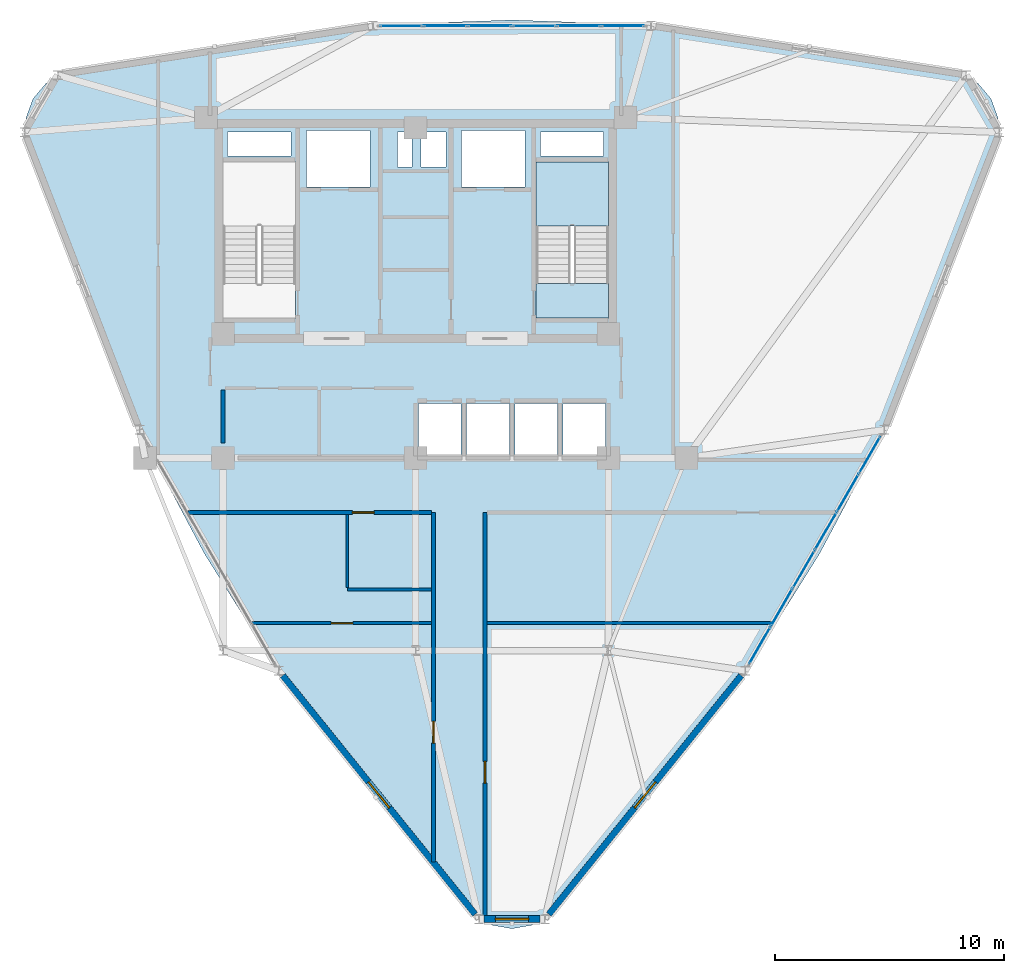
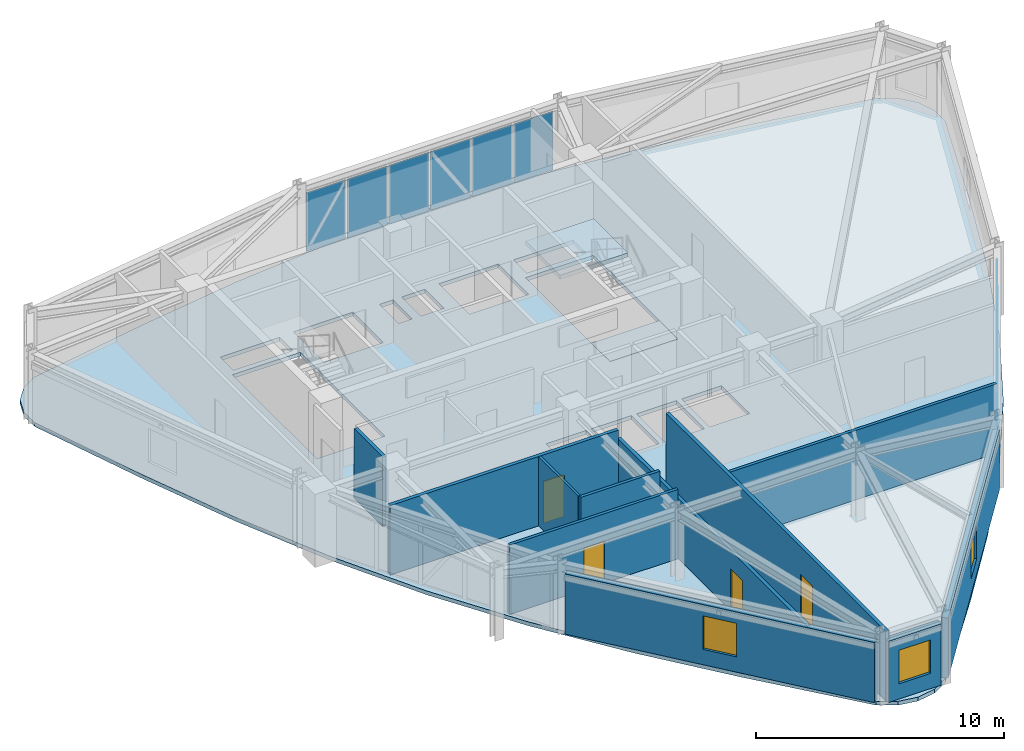
# One storey, part 12 of 16: 12 plates, 11 walls, 4 doors, 3 slabs, 3 windows, 7 openings, 3 elements without a shape of their own.
"""IFC4 building model written with IfcOpenShell, lengths in metres."""

from ifc_helpers import new_model, si_unit, derived_unit, direction, frame, frame_2d, origin, origin_2d, place, context, subcontext, project, spatial, polyline, rectangle, outline, extrude, source, transform, mapped, material, layer, layer_set, type_object, element, fill, aggregate, save


model = new_model("IFC4")

# Units and contexts
model_context = context("Model", 3, precision=1e-05, world=origin(), true_north=direction((0.0, 1.0)))
body_context = subcontext(model_context, "Body", "Model", "MODEL_VIEW")
ifc_project = project(units=[si_unit("LENGTHUNIT", "METRE"), si_unit("AREAUNIT", "SQUARE_METRE"), si_unit("VOLUMEUNIT", "CUBIC_METRE"), si_unit("PLANEANGLEUNIT", "RADIAN"), si_unit("MASSUNIT", "GRAM", prefix="KILO"), derived_unit("THERMALTRANSMITTANCEUNIT", [(si_unit("POWERUNIT", "WATT"), 1), (si_unit("LENGTHUNIT", "METRE"), -2), (si_unit("THERMODYNAMICTEMPERATUREUNIT", "KELVIN"), -1)])], contexts=[model_context])

# Site, building, storey
site_placement = place(None, origin())
site = spatial("IfcSite", under=ifc_project, at=site_placement, CompositionType="ELEMENT")
building_placement = place(site_placement, origin())
building = spatial("IfcBuilding", under=site, at=building_placement, Name="Korsvarv Bourse and Concert Hall", CompositionType="ELEMENT")
storey_placement = place(building_placement, frame((0.0, 0.0, 231.0)))
storey = spatial("IfcBuildingStorey", under=building, at=storey_placement, Name="L60", CompositionType="ELEMENT", Elevation=231.0)

# Slab
ifc_material_1 = material(Name="Precast concrete C45/55", Category="concrete")
ifc_layer_1 = layer(ifc_material_1, 0.199951171875)
ifc_layer_set_1 = layer_set([ifc_layer_1], Name="Precast concrete C45/55")
slab_type_1 = type_object("IfcSlabType", Name="SLB-FLND-T", PredefinedType="LANDING", material=ifc_layer_set_1)
slab_1_placement = place(storey_placement, frame((0.0, 0.0, -0.199951171875)))
element("IfcSlab", 1, at=slab_1_placement, inside=storey, type_object=slab_type_1, Name="L60 Stair ST-T2 Floor Landing Slab", PredefinedType="LANDING", context=body_context, shape_type="SweptSolid", body=[
    extrude(outline(polyline([(44.39990234375, 38.5), (44.39990234375, 40.0), (41.239990234375, 40.0), (41.239990234375, 38.5), (44.39990234375, 38.5)])), origin(), (0.0, 0.0, 1.0), 0.199951171875),
])

# Stair, slab
stair_type = type_object("IfcStairType", Name="STR-TYPE-04", PredefinedType="HALF_TURN_STAIR", material=ifc_material_1)
stair_placement = place(storey_placement, origin())
stair = element("IfcStair", 2, at=stair_placement, inside=storey, type_object=stair_type, Name="L60 Tower East Exit Stair ST-T2", PredefinedType="HALF_TURN_STAIR")
ifc_layer_2 = layer(ifc_material_1, 0.199951171875)
ifc_layer_set_2 = layer_set([ifc_layer_2], Name="Precast concrete C45/55")
slab_type_2 = type_object("IfcSlabType", Name="SLB-ST-LND", PredefinedType="LANDING", material=ifc_layer_set_2)
slab_2_placement = place(storey_placement, frame((0.0, 0.0, 1.60009765625)))
slab_2 = element("IfcSlab", 3, at=slab_2_placement, type_object=slab_type_2, Name="ST-T2 landing 1", PredefinedType="LANDING", context=body_context, shape_type="SweptSolid", body=[
    extrude(outline(polyline([(44.39990234375, 42.52001953125), (44.39990234375, 45.300048828125), (41.239990234375, 45.300048828125), (41.239990234375, 42.52001953125), (44.39990234375, 42.52001953125)])), origin(), (0.0, 0.0, 1.0), 0.199951171875),
])
aggregate(stair, [slab_2])

# Slab
ifc_material_2 = material(Name="Concrete C45/55", Category="concrete")
ifc_layer_3 = layer(ifc_material_2, 0.18994140625)
ifc_layer_set_3 = layer_set([ifc_layer_3], Name="Concrete C45/55")
slab_type_3 = type_object("IfcSlabType", Name="SLB-TW3", PredefinedType="FLOOR", material=ifc_layer_set_3)
slab_3_placement = place(storey_placement, frame((0.0, 0.0, -0.18994140625)))
element("IfcSlab", 4, at=slab_3_placement, inside=storey, type_object=slab_type_3, Name="L60 tower structural floor slab", PredefinedType="FLOOR", context=body_context, shape_type="SweptSolid", body=[
    extrude(outline(polyline([(61.0341796875, 45.40966796875), (59.4189453125, 40.951416015625), (57.701904296875, 36.576416015625), (55.791015625, 32.33349609375), (53.622314453125, 28.25048828125), (51.170654296875, 24.330810546875), (48.45166015625, 20.554443359375), (45.521240234375, 16.88037109375), (42.468017578125, 13.252197265625), (42.46728515625, 13.251220703125), (41.80859375, 12.466552734375), (41.055908203125, 12.031982421875), (40.199951171875, 11.881103515625), (39.343994140625, 12.031982421875), (38.59130859375, 12.466552734375), (37.932861328125, 13.251220703125), (37.931884765625, 13.252197265625), (34.878662109375, 16.88037109375), (31.9482421875, 20.554443359375), (29.229248046875, 24.330810546875), (26.777587890625, 28.25048828125), (24.60888671875, 32.33349609375), (22.697998046875, 36.576416015625), (20.981201171875, 40.951416015625), (19.365966796875, 45.40966796875), (19.365478515625, 45.410888671875), (19.01513671875, 46.37353515625), (19.01513671875, 47.24267578125), (19.3125, 48.059326171875), (19.87109375, 48.725341796875), (20.623779296875, 49.159912109375), (21.632568359375, 49.337890625), (21.6337890625, 49.337890625), (26.302490234375, 50.168212890625), (30.94970703125, 50.868896484375), (35.57958984375, 51.33544921875), (40.199951171875, 51.498779296875), (44.8203125, 51.33544921875), (49.4501953125, 50.868896484375), (54.097412109375, 50.168212890625), (58.76611328125, 49.337890625), (58.767333984375, 49.337890625), (59.776123046875, 49.159912109375), (60.52880859375, 48.725341796875), (61.087646484375, 48.059326171875), (61.385009765625, 47.24267578125), (61.385009765625, 46.37353515625), (61.03466796875, 45.410888671875), (61.0341796875, 45.40966796875)]), holes=[polyline([(30.760009765625, 38.5), (30.760009765625, 45.300048828125), (27.60009765625, 45.300048828125), (27.60009765625, 38.5), (30.760009765625, 38.5)]), polyline([(44.39990234375, 38.5), (44.39990234375, 45.300048828125), (41.239990234375, 45.300048828125), (41.239990234375, 38.5), (44.39990234375, 38.5)]), polyline([(31.239990234375, 44.219970703125), (34.0, 44.219970703125), (34.0, 46.679931640625), (31.239990234375, 46.679931640625), (31.239990234375, 44.219970703125)]), polyline([(38.0, 44.219970703125), (40.760009765625, 44.219970703125), (40.760009765625, 46.679931640625), (38.0, 46.679931640625), (38.0, 44.219970703125)]), polyline([(36.1201171875, 32.52001953125), (37.97998046875, 32.52001953125), (37.97998046875, 34.780029296875), (36.1201171875, 34.780029296875), (36.1201171875, 32.52001953125)]), polyline([(38.219970703125, 32.52001953125), (40.080078125, 32.52001953125), (40.080078125, 34.780029296875), (38.219970703125, 34.780029296875), (38.219970703125, 32.52001953125)]), polyline([(40.320068359375, 32.52001953125), (42.179931640625, 32.52001953125), (42.179931640625, 34.780029296875), (40.320068359375, 34.780029296875), (40.320068359375, 32.52001953125)]), polyline([(42.419921875, 32.52001953125), (44.280029296875, 32.52001953125), (44.280029296875, 34.780029296875), (42.419921875, 34.780029296875), (42.419921875, 32.52001953125)]), polyline([(27.800048828125, 45.56005859375), (30.56005859375, 45.56005859375), (30.56005859375, 46.6201171875), (27.800048828125, 46.6201171875), (27.800048828125, 45.56005859375)]), polyline([(41.43994140625, 45.56005859375), (44.199951171875, 45.56005859375), (44.199951171875, 46.6201171875), (41.43994140625, 46.6201171875), (41.43994140625, 45.56005859375)]), polyline([(35.199951171875, 45.080078125), (35.840087890625, 45.080078125), (35.840087890625, 46.6201171875), (35.199951171875, 46.6201171875), (35.199951171875, 45.080078125)]), polyline([(36.239990234375, 45.080078125), (37.320068359375, 45.080078125), (37.320068359375, 46.6201171875), (36.239990234375, 46.6201171875), (36.239990234375, 45.080078125)])]), origin(), (0.0, 0.0, 1.0), 0.18994140625),
])

# Curtain wall, plates
ifc_material_3 = material(Name="Anodised aluminium and triple low-E glazing", Category="glass")
ifc_layer_4 = layer(ifc_material_3, 0.199951171875)
ifc_layer_set_4 = layer_set([ifc_layer_4], Name="Anodised aluminium and triple low-E glazing")
curtain_wall_type = type_object("IfcCurtainWallType", Name="CW-SYS-3", PredefinedType="NOTDEFINED", material=ifc_layer_set_4)
curtain_wall_1_placement = place(storey_placement, origin())
curtain_wall_1 = element("IfcCurtainWall", 5, at=curtain_wall_1_placement, inside=storey, type_object=curtain_wall_type, Name="L60 CW3 curtain wall CW-L60-F03", PredefinedType="NOTDEFINED")
ifc_material_4 = material(Name="Tempered triple insulated low-E architectural glass", Category="glass")
ifc_layer_5 = layer(ifc_material_4, 0.0380859375)
ifc_layer_set_5 = layer_set([ifc_layer_5], Name="Tempered triple insulated low-E architectural glass")
plate_type_1 = type_object("IfcPlateType", Name="CWP-VIS2", PredefinedType="CURTAIN_PANEL", material=ifc_layer_set_5)
shared_shape_1 = source(origin(), body_context, "Body", "SweptSolid", [
    extrude(rectangle(XDim=1.831298828125, YDim=0.0380859375, at=origin_2d()), origin(), (0.0, 0.0, 1.0), 2.889892578125),
])
plate_1_placement = place(storey_placement, frame((45.023193359375, 51.2412109375, 0.06494140625), z_axis=(0.0, 0.0, 1.0), x_axis=(-1.0, 0.0, 0.0)))
plate_1 = element("IfcPlate", 6, at=plate_1_placement, type_object=plate_type_1, Name="CW3 faceted panel 1.1", PredefinedType="CURTAIN_PANEL", context=body_context, shape_type="MappedRepresentation", body=[
    mapped(shared_shape_1, transform((0.0, 0.0, 0.0), scale=1.0)),
])
shared_shape_2 = source(origin(), body_context, "Body", "SweptSolid", [
    extrude(rectangle(XDim=1.8662109375, YDim=0.0380859375, at=origin_2d()), origin(), (0.0, 0.0, 1.0), 2.889892578125),
])
plate_2_placement = place(storey_placement, frame((43.1044921875, 51.2412109375, 0.06494140625), z_axis=(0.0, 0.0, 1.0), x_axis=(-1.0, 0.0, 0.0)))
plate_2 = element("IfcPlate", 7, at=plate_2_placement, type_object=plate_type_1, Name="CW3 faceted panel 2.1", PredefinedType="CURTAIN_PANEL", context=body_context, shape_type="MappedRepresentation", body=[
    mapped(shared_shape_2, transform((0.0, 0.0, 0.0), scale=1.0)),
])
plate_3_placement = place(storey_placement, frame((39.23193359375, 51.2412109375, 0.06494140625), z_axis=(0.0, 0.0, 1.0), x_axis=(-1.0, 0.0, 0.0)))
plate_3 = element("IfcPlate", 8, at=plate_3_placement, type_object=plate_type_1, Name="CW3 faceted panel 4.1", PredefinedType="CURTAIN_PANEL", context=body_context, shape_type="MappedRepresentation", body=[
    mapped(shared_shape_2, transform((0.0, 0.0, 0.0), scale=1.0)),
])
plate_4_placement = place(storey_placement, frame((37.295654296875, 51.2412109375, 0.06494140625), z_axis=(0.0, 0.0, 1.0), x_axis=(-1.0, 0.0, 0.0)))
plate_4 = element("IfcPlate", 9, at=plate_4_placement, type_object=plate_type_1, Name="CW3 faceted panel 5.1", PredefinedType="CURTAIN_PANEL", context=body_context, shape_type="MappedRepresentation", body=[
    mapped(shared_shape_2, transform((0.0, 0.0, 0.0), scale=1.0)),
])
ifc_material_5 = material(Name="Insulated spandrel glass", Category="glass")
ifc_layer_6 = layer(ifc_material_5, 0.031982421875)
ifc_layer_set_6 = layer_set([ifc_layer_6], Name="Insulated spandrel glass")
plate_type_2 = type_object("IfcPlateType", Name="CWP-SPD1", PredefinedType="CURTAIN_PANEL", material=ifc_layer_set_6)
shared_shape_3 = source(origin(), body_context, "Body", "SweptSolid", [
    extrude(rectangle(XDim=1.8662109375, YDim=0.031982421875, at=origin_2d()), origin(), (0.0, 0.0, 1.0), 2.889892578125),
])
plate_5_placement = place(storey_placement, frame((41.168212890625, 51.2412109375, 0.06494140625), z_axis=(0.0, 0.0, 1.0), x_axis=(-1.0, 0.0, 0.0)))
plate_5 = element("IfcPlate", 10, at=plate_5_placement, type_object=plate_type_2, Name="CW3 spandrel shadow-box panel 3.1", PredefinedType="CURTAIN_PANEL", context=body_context, shape_type="MappedRepresentation", body=[
    mapped(shared_shape_3, transform((0.0, 0.0, 0.0), scale=1.0)),
])
shared_shape_4 = source(origin(), body_context, "Body", "SweptSolid", [
    extrude(rectangle(XDim=1.831298828125, YDim=0.031982421875, at=origin_2d()), origin(), (0.0, 0.0, 1.0), 2.889892578125),
])
plate_6_placement = place(storey_placement, frame((35.376953125, 51.2412109375, 0.06494140625), z_axis=(0.0, 0.0, 1.0), x_axis=(-1.0, 0.0, 0.0)))
plate_6 = element("IfcPlate", 11, at=plate_6_placement, type_object=plate_type_2, Name="CW3 spandrel shadow-box panel 6.1", PredefinedType="CURTAIN_PANEL", context=body_context, shape_type="MappedRepresentation", body=[
    mapped(shared_shape_4, transform((0.0, 0.0, 0.0), scale=1.0)),
])
aggregate(curtain_wall_1, [plate_1, plate_2, plate_5, plate_3, plate_4, plate_6])

curtain_wall_2_placement = place(storey_placement, origin())
curtain_wall_2 = element("IfcCurtainWall", 12, at=curtain_wall_2_placement, inside=storey, type_object=curtain_wall_type, Name="L60 CW3 curtain wall CW-L60-F11", PredefinedType="NOTDEFINED")
shared_shape_5 = source(origin(), body_context, "Body", "SweptSolid", [
    extrude(rectangle(XDim=1.816162109375, YDim=0.0380859375, at=origin_2d()), origin(), (0.0, 0.0, 1.0), 2.889892578125),
])
plate_7_placement = place(storey_placement, frame((51.00634765625, 24.23486328125, 0.06494140625), z_axis=(0.0, 0.0, 1.0), x_axis=(0.499996035044, 0.86602769294, 0.0)))
plate_7 = element("IfcPlate", 13, at=plate_7_placement, type_object=plate_type_1, Name="CW3 faceted panel 1.1", PredefinedType="CURTAIN_PANEL", context=body_context, shape_type="MappedRepresentation", body=[
    mapped(shared_shape_5, transform((0.0, 0.0, 0.0), scale=1.0)),
])
shared_shape_6 = source(origin(), body_context, "Body", "SweptSolid", [
    extrude(rectangle(XDim=1.851318359375, YDim=0.0380859375, at=origin_2d()), origin(), (0.0, 0.0, 1.0), 2.889892578125),
])
plate_8_placement = place(storey_placement, frame((51.958251953125, 25.883544921875, 0.06494140625), z_axis=(0.0, 0.0, 1.0), x_axis=(0.499996035044, 0.86602769294, 0.0)))
plate_8 = element("IfcPlate", 14, at=plate_8_placement, type_object=plate_type_1, Name="CW3 faceted panel 2.1", PredefinedType="CURTAIN_PANEL", context=body_context, shape_type="MappedRepresentation", body=[
    mapped(shared_shape_6, transform((0.0, 0.0, 0.0), scale=1.0)),
])
plate_9_placement = place(storey_placement, frame((53.879638671875, 29.21142578125, 0.06494140625), z_axis=(0.0, 0.0, 1.0), x_axis=(0.499996035044, 0.86602769294, 0.0)))
plate_9 = element("IfcPlate", 15, at=plate_9_placement, type_object=plate_type_1, Name="CW3 faceted panel 4.1", PredefinedType="CURTAIN_PANEL", context=body_context, shape_type="MappedRepresentation", body=[
    mapped(shared_shape_6, transform((0.0, 0.0, 0.0), scale=1.0)),
])
plate_10_placement = place(storey_placement, frame((54.840087890625, 30.875244140625, 0.06494140625), z_axis=(0.0, 0.0, 1.0), x_axis=(0.499996035044, 0.86602769294, 0.0)))
plate_10 = element("IfcPlate", 16, at=plate_10_placement, type_object=plate_type_1, Name="CW3 faceted panel 5.1", PredefinedType="CURTAIN_PANEL", context=body_context, shape_type="MappedRepresentation", body=[
    mapped(shared_shape_6, transform((0.0, 0.0, 0.0), scale=1.0)),
])
shared_shape_7 = source(origin(), body_context, "Body", "SweptSolid", [
    extrude(rectangle(XDim=1.851318359375, YDim=0.031982421875, at=origin_2d()), origin(), (0.0, 0.0, 1.0), 2.889892578125),
])
plate_11_placement = place(storey_placement, frame((52.9189453125, 27.547607421875, 0.06494140625), z_axis=(0.0, 0.0, 1.0), x_axis=(0.499996035044, 0.86602769294, 0.0)))
plate_11 = element("IfcPlate", 17, at=plate_11_placement, type_object=plate_type_2, Name="CW3 spandrel shadow-box panel 3.1", PredefinedType="CURTAIN_PANEL", context=body_context, shape_type="MappedRepresentation", body=[
    mapped(shared_shape_7, transform((0.0, 0.0, 0.0), scale=1.0)),
])
shared_shape_8 = source(origin(), body_context, "Body", "SweptSolid", [
    extrude(rectangle(XDim=1.816162109375, YDim=0.031982421875, at=origin_2d()), origin(), (0.0, 0.0, 1.0), 2.889892578125),
])
plate_12_placement = place(storey_placement, frame((55.7919921875, 32.52392578125, 0.06494140625), z_axis=(0.0, 0.0, 1.0), x_axis=(0.499996035044, 0.86602769294, 0.0)))
plate_12 = element("IfcPlate", 18, at=plate_12_placement, type_object=plate_type_2, Name="CW3 spandrel shadow-box panel 6.1", PredefinedType="CURTAIN_PANEL", context=body_context, shape_type="MappedRepresentation", body=[
    mapped(shared_shape_8, transform((0.0, 0.0, 0.0), scale=1.0)),
])
aggregate(curtain_wall_2, [plate_7, plate_8, plate_11, plate_9, plate_10, plate_12])

# Wall, opening, window
ifc_material_6 = material(Name="Precast concrete C45/55 with terracotta rainscreen", Category="concrete")
ifc_layer_7 = layer(ifc_material_6, 0.300048828125)
ifc_layer_set_7 = layer_set([ifc_layer_7], Name="Precast concrete C45/55 with terracotta rainscreen")
wall_type_1 = type_object("IfcWallType", Name="WL-EXT-TC1", PredefinedType="SOLIDWALL", material=ifc_layer_set_7)
wall_1_placement = place(storey_placement, frame((38.969482421875, 12.296142578125, 0.0), z_axis=(0.0, 0.0, 1.0), x_axis=(1.0, 0.0, 0.0)))
wall_1 = element("IfcWall", 19, at=wall_1_placement, inside=storey, type_object=wall_type_1, Name="L60 terracotta exterior wall EW-L60-B09", PredefinedType="SOLIDWALL", context=body_context, shape_type="SweptSolid", body=[
    extrude(rectangle(XDim=2.4609375, YDim=0.300048828125, at=frame_2d((1.23046875, 0.0))), origin(), (0.0, 0.0, 1.0), 3.02001953125),
])
opening_1_placement = place(wall_1_placement, frame((0.50537109375, 0.0, 0.75)))
opening_1 = element("IfcOpeningElement", 20, at=opening_1_placement, cuts=wall_1, Name="Opening W-02", PredefinedType="OPENING", context=body_context, shape_type="SweptSolid", body=[
    extrude(rectangle(XDim=1.449951171875, YDim=1.64990234375, at=frame_2d((0.72509765625, 0.824951171875))), frame((0.0, 0.16015625, 0.0), z_axis=(0.0, -1.0, 0.0), x_axis=(1.0, 0.0, 0.0)), (0.0, 0.0, 1.0), 0.320068359375),
])
ifc_material_7 = material(Name="Thermally broken aluminium frame with triple low-E glass", Category="glass")
window_type = type_object("IfcWindowType", Name="WIN-TW2", PartitioningType="SINGLE_PANEL", PredefinedType="WINDOW", material=ifc_material_7)
window_1_placement = place(opening_1_placement, origin())
window_1 = element("IfcWindow", 21, at=window_1_placement, inside=storey, type_object=window_type, Name="L60 punched facade window W-02", OverallHeight=1.64990234375, OverallWidth=1.449951171875, PartitioningType="SINGLE_PANEL", PredefinedType="WINDOW", context=body_context, shape_type="SweptSolid", body=[
    extrude(rectangle(XDim=1.449951171875, YDim=1.64990234375, at=frame_2d((0.72509765625, 0.824951171875))), frame((0.0, 0.030029296875, 0.0), z_axis=(0.0, -1.0, 0.0), x_axis=(1.0, 0.0, 0.0)), (0.0, 0.0, 1.0), 0.06005859375),
])
fill(opening_1, window_1)

ifc_material_8 = material(Name="Precast concrete C45/55 with fluted terracotta pier", Category="concrete")
ifc_layer_8 = layer(ifc_material_8, 0.280029296875)
ifc_layer_set_8 = layer_set([ifc_layer_8], Name="Precast concrete C45/55 with fluted terracotta pier")
wall_type_2 = type_object("IfcWallType", Name="WL-EXT-TC2", PredefinedType="SOLIDWALL", material=ifc_layer_set_8)
wall_2_placement = place(storey_placement, frame((30.203369140625, 22.916748046875, 0.0), z_axis=(0.0, 0.0, 1.0), x_axis=(0.627453225305, -0.778654255786, 0.0)))
wall_2 = element("IfcWall", 22, at=wall_2_placement, inside=storey, type_object=wall_type_2, Name="L60 terracotta exterior wall EW-L60-B08", PredefinedType="SOLIDWALL", context=body_context, shape_type="SweptSolid", body=[
    extrude(rectangle(XDim=13.3662109375, YDim=0.280029296875, at=frame_2d((6.68310546875, 0.0))), origin(), (0.0, 0.0, 1.0), 2.9599609375),
])
opening_2_placement = place(wall_2_placement, frame((5.9580078125, 0.0, 0.75)))
opening_2 = element("IfcOpeningElement", 23, at=opening_2_placement, cuts=wall_2, Name="Opening W-02", PredefinedType="OPENING", context=body_context, shape_type="SweptSolid", body=[
    extrude(rectangle(XDim=1.449951171875, YDim=1.64990234375, at=frame_2d((0.72509765625, 0.824951171875))), frame((0.0, 0.14990234375, 0.0), z_axis=(0.0, -1.0, 0.0), x_axis=(1.0, 0.0, 0.0)), (0.0, 0.0, 1.0), 0.300048828125),
])
window_2_placement = place(opening_2_placement, origin())
window_2 = element("IfcWindow", 24, at=window_2_placement, inside=storey, type_object=window_type, Name="L60 punched facade window W-02", OverallHeight=1.64990234375, OverallWidth=1.449951171875, PartitioningType="SINGLE_PANEL", PredefinedType="WINDOW", context=body_context, shape_type="SweptSolid", body=[
    extrude(rectangle(XDim=1.449951171875, YDim=1.64990234375, at=frame_2d((0.72509765625, 0.824951171875))), frame((0.0, 0.030029296875, 0.0), z_axis=(0.0, -1.0, 0.0), x_axis=(1.0, 0.0, 0.0)), (0.0, 0.0, 1.0), 0.06005859375),
])
fill(opening_2, window_2)

wall_3_placement = place(storey_placement, frame((41.81005859375, 12.509033203125, 0.0), z_axis=(0.0, 0.0, 1.0), x_axis=(0.627453225305, 0.778654255786, 0.0)))
wall_3 = element("IfcWall", 25, at=wall_3_placement, inside=storey, type_object=wall_type_2, Name="L60 terracotta exterior wall EW-L60-B10", PredefinedType="SOLIDWALL", context=body_context, shape_type="SweptSolid", body=[
    extrude(rectangle(XDim=13.3662109375, YDim=0.280029296875, at=frame_2d((6.68310546875, 0.0))), origin(), (0.0, 0.0, 1.0), 2.9599609375),
])
opening_3_placement = place(wall_3_placement, frame((5.9580078125, 0.0, 0.75)))
opening_3 = element("IfcOpeningElement", 26, at=opening_3_placement, cuts=wall_3, Name="Opening W-02", PredefinedType="OPENING", context=body_context, shape_type="SweptSolid", body=[
    extrude(rectangle(XDim=1.449951171875, YDim=1.64990234375, at=frame_2d((0.72509765625, 0.824951171875))), frame((0.0, 0.14990234375, 0.0), z_axis=(0.0, -1.0, 0.0), x_axis=(1.0, 0.0, 0.0)), (0.0, 0.0, 1.0), 0.300048828125),
])
window_3_placement = place(opening_3_placement, origin())
window_3 = element("IfcWindow", 27, at=window_3_placement, inside=storey, type_object=window_type, Name="L60 punched facade window W-02", OverallHeight=1.64990234375, OverallWidth=1.449951171875, PartitioningType="SINGLE_PANEL", PredefinedType="WINDOW", context=body_context, shape_type="SweptSolid", body=[
    extrude(rectangle(XDim=1.449951171875, YDim=1.64990234375, at=frame_2d((0.72509765625, 0.824951171875))), frame((0.0, 0.030029296875, 0.0), z_axis=(0.0, -1.0, 0.0), x_axis=(1.0, 0.0, 0.0)), (0.0, 0.0, 1.0), 0.06005859375),
])
fill(opening_3, window_3)

# Wall
ifc_material_9 = material(Name="Double-stud fire-rated acoustic partition", Category="gypsum")
ifc_layer_9 = layer(ifc_material_9, 0.159912109375)
ifc_layer_set_9 = layer_set([ifc_layer_9], Name="Double-stud fire-rated acoustic partition")
wall_type_3 = type_object("IfcWallType", Name="WL-INT-EI60", PredefinedType="PARTITIONING", material=ifc_layer_set_9)
wall_4_placement = place(storey_placement, frame((27.60009765625, 33.050048828125, 0.0), z_axis=(0.0, 0.0, 1.0), x_axis=(0.0, 1.0, 0.0)))
element("IfcWall", 28, at=wall_4_placement, inside=storey, type_object=wall_type_3, Name="L60 interior partition wall W-L60-FRD-W", PredefinedType="PARTITIONING", context=body_context, shape_type="SweptSolid", body=[
    extrude(rectangle(XDim=2.31005859375, YDim=0.159912109375, at=frame_2d((1.155029296875, 0.0))), origin(), (0.0, 0.0, 1.0), 3.409912109375),
])

# Wall, opening, door
wall_5_placement = place(storey_placement, frame((39.02490234375, 12.316162109375, 0.0), z_axis=(0.0, 0.0, 1.0), x_axis=(0.0, 1.0, 0.0)))
wall_5 = element("IfcWall", 29, at=wall_5_placement, inside=storey, type_object=wall_type_3, Name="L60 interior partition wall W-L60-TCOR-02", PredefinedType="PARTITIONING", context=body_context, shape_type="SweptSolid", body=[
    extrude(rectangle(XDim=17.7138671875, YDim=0.159912109375, at=frame_2d((8.85693359375, 0.0))), origin(), (0.0, 0.0, 1.0), 3.409912109375),
])
opening_4_placement = place(wall_5_placement, frame((5.914306640625, 0.0, 0.0)))
opening_4 = element("IfcOpeningElement", 30, at=opening_4_placement, cuts=wall_5, Name="Opening D-02", PredefinedType="OPENING", context=body_context, shape_type="SweptSolid", body=[
    extrude(rectangle(XDim=0.949951171875, YDim=2.050048828125, at=frame_2d((0.47509765625, 1.02490234375))), frame((0.0, 0.08984375, 0.0), z_axis=(0.0, -1.0, 0.0), x_axis=(1.0, 0.0, 0.0)), (0.0, 0.0, 1.0), 0.179931640625),
])
ifc_material_10 = material(Name="Timber and steel acoustic fire door", Category="wood")
door_type_1 = type_object("IfcDoorType", Name="DR-FD30", OperationType="NOTDEFINED", PredefinedType="DOOR", material=ifc_material_10)
door_1_placement = place(opening_4_placement, origin())
door_1 = element("IfcDoor", 31, at=door_1_placement, inside=storey, type_object=door_type_1, Name="L60 interior door DR-L60-TCOR-PRE2", OperationType="SINGLE_SWING_LEFT", OverallHeight=2.050048828125, OverallWidth=0.949951171875, PredefinedType="DOOR", context=body_context, shape_type="SweptSolid", body=[
    extrude(rectangle(XDim=0.949951171875, YDim=2.050048828125, at=frame_2d((0.47509765625, 1.02490234375))), frame((0.0, 0.02490234375, 0.0), z_axis=(0.0, -1.0, 0.0), x_axis=(1.0, 0.0, 0.0)), (0.0, 0.0, 1.0), 0.050048828125),
])
fill(opening_4, door_1)

wall_6_placement = place(storey_placement, frame((36.77490234375, 14.781494140625, 0.0), z_axis=(0.0, 0.0, 1.0), x_axis=(0.0, 1.0, 0.0)))
wall_6 = element("IfcWall", 32, at=wall_6_placement, inside=storey, type_object=wall_type_3, Name="L60 interior partition wall W-L60-TCOR-05", PredefinedType="PARTITIONING", context=body_context, shape_type="SweptSolid", body=[
    extrude(rectangle(XDim=15.24853515625, YDim=0.159912109375, at=frame_2d((7.624267578125, 0.0))), origin(), (0.0, 0.0, 1.0), 2.9599609375),
])
opening_5_placement = place(wall_6_placement, frame((5.184814453125, 0.0, 0.0)))
opening_5 = element("IfcOpeningElement", 33, at=opening_5_placement, cuts=wall_6, Name="Opening D-02", PredefinedType="OPENING", context=body_context, shape_type="SweptSolid", body=[
    extrude(rectangle(XDim=0.949951171875, YDim=2.050048828125, at=frame_2d((0.47509765625, 1.02490234375))), frame((0.0, 0.08984375, 0.0), z_axis=(0.0, -1.0, 0.0), x_axis=(1.0, 0.0, 0.0)), (0.0, 0.0, 1.0), 0.179931640625),
])
door_2_placement = place(opening_5_placement, origin())
door_2 = element("IfcDoor", 34, at=door_2_placement, inside=storey, type_object=door_type_1, Name="L60 interior door DR-L60-TCOR-PRW5", OperationType="SINGLE_SWING_RIGHT", OverallHeight=2.050048828125, OverallWidth=0.949951171875, PredefinedType="DOOR", context=body_context, shape_type="SweptSolid", body=[
    extrude(rectangle(XDim=0.949951171875, YDim=2.050048828125, at=frame_2d((0.47509765625, 1.02490234375))), frame((0.0, 0.02490234375, 0.0), z_axis=(0.0, -1.0, 0.0), x_axis=(1.0, 0.0, 0.0)), (0.0, 0.0, 1.0), 0.050048828125),
])
fill(opening_5, door_2)

wall_7_placement = place(storey_placement, frame((26.07080078125, 30.02490234375, 0.0), z_axis=(0.0, 0.0, 1.0), x_axis=(1.0, 0.0, 0.0)))
wall_7 = element("IfcWall", 35, at=wall_7_placement, inside=storey, type_object=wall_type_3, Name="L60 interior partition wall W-L60-TCOR-06", PredefinedType="PARTITIONING", context=body_context, shape_type="SweptSolid", body=[
    extrude(rectangle(XDim=10.622314453125, YDim=0.159912109375, at=frame_2d((5.31103515625, 0.0))), origin(), (0.0, 0.0, 1.0), 3.409912109375),
])
opening_6_placement = place(wall_7_placement, frame((7.169189453125, 0.0, 0.0)))
opening_6 = element("IfcOpeningElement", 36, at=opening_6_placement, cuts=wall_7, Name="Opening D-02", PredefinedType="OPENING", context=body_context, shape_type="SweptSolid", body=[
    extrude(rectangle(XDim=0.949951171875, YDim=2.050048828125, at=frame_2d((0.47509765625, 1.02490234375))), frame((0.0, 0.08984375, 0.0), z_axis=(0.0, -1.0, 0.0), x_axis=(1.0, 0.0, 0.0)), (0.0, 0.0, 1.0), 0.179931640625),
])
door_3_placement = place(opening_6_placement, origin())
door_3 = element("IfcDoor", 37, at=door_3_placement, inside=storey, type_object=door_type_1, Name="L60 interior door DR-L60-TCOR-RWC", OperationType="SINGLE_SWING_LEFT", OverallHeight=2.050048828125, OverallWidth=0.949951171875, PredefinedType="DOOR", context=body_context, shape_type="SweptSolid", body=[
    extrude(rectangle(XDim=0.949951171875, YDim=2.050048828125, at=frame_2d((0.47509765625, 1.02490234375))), frame((0.0, 0.02490234375, 0.0), z_axis=(0.0, -1.0, 0.0), x_axis=(1.0, 0.0, 0.0)), (0.0, 0.0, 1.0), 0.050048828125),
])
fill(opening_6, door_3)

# Walls
ifc_material_11 = material(Name="Demountable acoustic glass and aluminium dealing partition", Category="aluminium")
ifc_layer_10 = layer(ifc_material_11, 0.110107421875)
ifc_layer_set_10 = layer_set([ifc_layer_10], Name="Demountable acoustic glass and aluminium dealing partition")
wall_type_4 = type_object("IfcWallType", Name="WL-INT-MOV", PredefinedType="MOVABLE", material=ifc_layer_set_10)
wall_8_placement = place(storey_placement, frame((33.02490234375, 26.7470703125, 0.0), z_axis=(0.0, 0.0, 1.0), x_axis=(0.0, 1.0, 0.0)))
element("IfcWall", 38, at=wall_8_placement, inside=storey, type_object=wall_type_4, Name="L60 interior partition wall W-L60-TCOR-13", PredefinedType="MOVABLE", context=body_context, shape_type="SweptSolid", body=[
    extrude(rectangle(XDim=3.196044921875, YDim=0.110107421875, at=frame_2d((1.59814453125, 0.0))), origin(), (0.0, 0.0, 1.0), 3.409912109375),
])
ifc_material_12 = material(Name="Insulated steel-stud office acoustic partition", Category="gypsum")
ifc_layer_11 = layer(ifc_material_12, 0.139892578125)
ifc_layer_set_11 = layer_set([ifc_layer_11], Name="Insulated steel-stud office acoustic partition")
wall_type_5 = type_object("IfcWallType", Name="WL-INT-P1", PredefinedType="PARTITIONING", material=ifc_layer_set_11)
wall_9_placement = place(storey_placement, frame((39.10693359375, 25.205078125, 0.0), z_axis=(0.0, 0.0, 1.0), x_axis=(1.0, 0.0, 0.0)))
element("IfcWall", 39, at=wall_9_placement, inside=storey, type_object=wall_type_5, Name="L60 interior partition wall W-L60-TCOR-10", PredefinedType="PARTITIONING", context=body_context, shape_type="SweptSolid", body=[
    extrude(rectangle(XDim=12.439453125, YDim=0.139892578125, at=frame_2d((6.2197265625, 0.0))), origin(), (0.0, 0.0, 1.0), 3.409912109375),
])

# Wall, opening, door
wall_10_placement = place(storey_placement, frame((28.853515625, 25.205078125, 0.0), z_axis=(0.0, 0.0, 1.0), x_axis=(1.0, 0.0, 0.0)))
wall_10 = element("IfcWall", 40, at=wall_10_placement, inside=storey, type_object=wall_type_5, Name="L60 interior partition wall W-L60-TCOR-11", PredefinedType="PARTITIONING", context=body_context, shape_type="SweptSolid", body=[
    extrude(rectangle(XDim=7.839599609375, YDim=0.139892578125, at=frame_2d((3.919921875, 0.0))), origin(), (0.0, 0.0, 1.0), 3.409912109375),
])
opening_7_placement = place(wall_10_placement, frame((3.458740234375, 0.0, 0.0)))
opening_7 = element("IfcOpeningElement", 41, at=opening_7_placement, cuts=wall_10, Name="Opening D-03", PredefinedType="OPENING", context=body_context, shape_type="SweptSolid", body=[
    extrude(rectangle(XDim=0.949951171875, YDim=2.050048828125, at=frame_2d((0.47509765625, 1.02490234375))), frame((0.0, 0.080078125, 0.0), z_axis=(0.0, -1.0, 0.0), x_axis=(1.0, 0.0, 0.0)), (0.0, 0.0, 1.0), 0.159912109375),
])
ifc_material_13 = material(Name="Nordic oak acoustic office door", Category="wood")
door_type_2 = type_object("IfcDoorType", Name="DR-INT-1", OperationType="NOTDEFINED", PredefinedType="DOOR", material=ifc_material_13)
door_4_placement = place(opening_7_placement, origin())
door_4 = element("IfcDoor", 42, at=door_4_placement, inside=storey, type_object=door_type_2, Name="L60 interior door DR-L60-TCOR-CIN6", OperationType="SINGLE_SWING_LEFT", OverallHeight=2.050048828125, OverallWidth=0.949951171875, PredefinedType="DOOR", context=body_context, shape_type="SweptSolid", body=[
    extrude(rectangle(XDim=0.949951171875, YDim=2.050048828125, at=frame_2d((0.47509765625, 1.02490234375))), frame((0.0, 0.02490234375, 0.0), z_axis=(0.0, -1.0, 0.0), x_axis=(1.0, 0.0, 0.0)), (0.0, 0.0, 1.0), 0.050048828125),
])
fill(opening_7, door_4)

# Wall
wall_11_placement = place(storey_placement, frame((33.02001953125, 26.675048828125, 0.0), z_axis=(0.0, 0.0, 1.0), x_axis=(1.0, 0.0, 0.0)))
element("IfcWall", 43, at=wall_11_placement, inside=storey, type_object=wall_type_5, Name="L60 interior partition wall W-L60-TCOR-12", PredefinedType="PARTITIONING", context=body_context, shape_type="SweptSolid", body=[
    extrude(rectangle(XDim=3.673095703125, YDim=0.139892578125, at=frame_2d((1.83642578125, 0.0))), origin(), (0.0, 0.0, 1.0), 3.409912109375),
])

save(model, "model.ifc")
